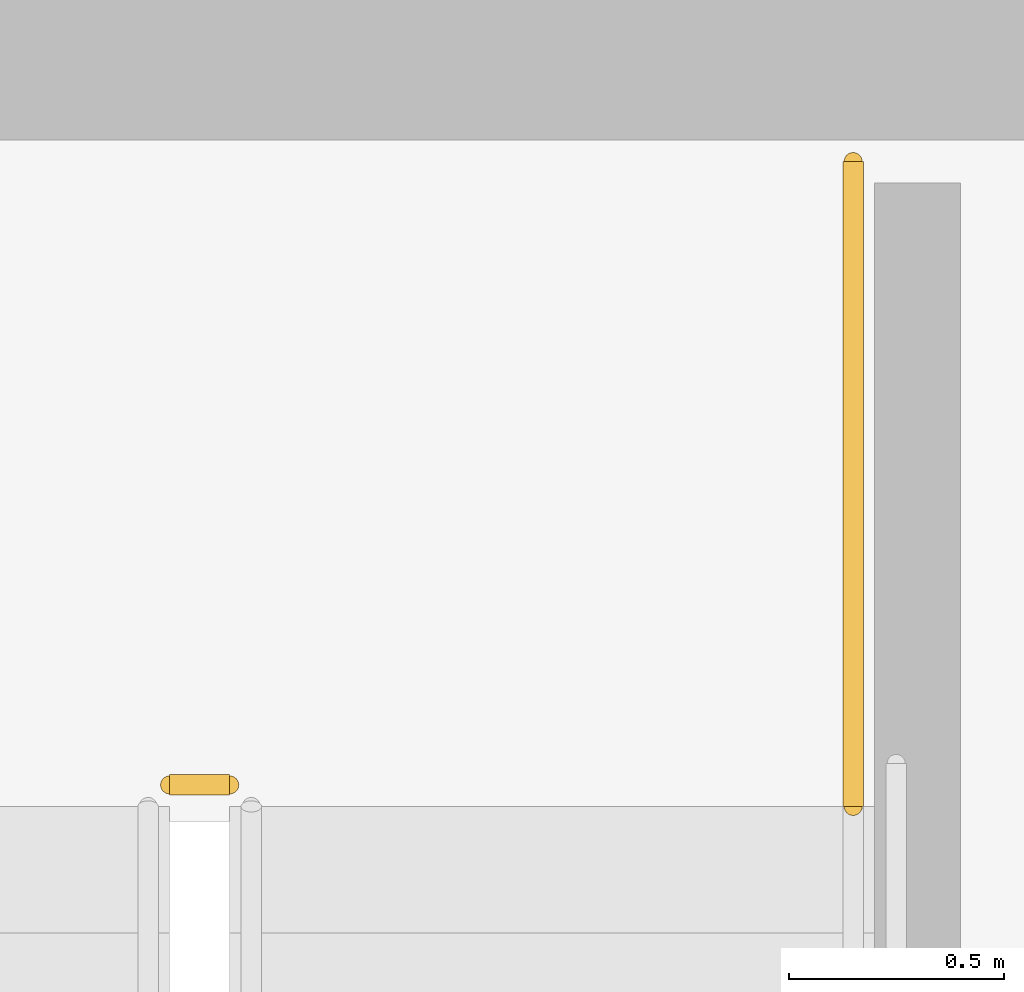
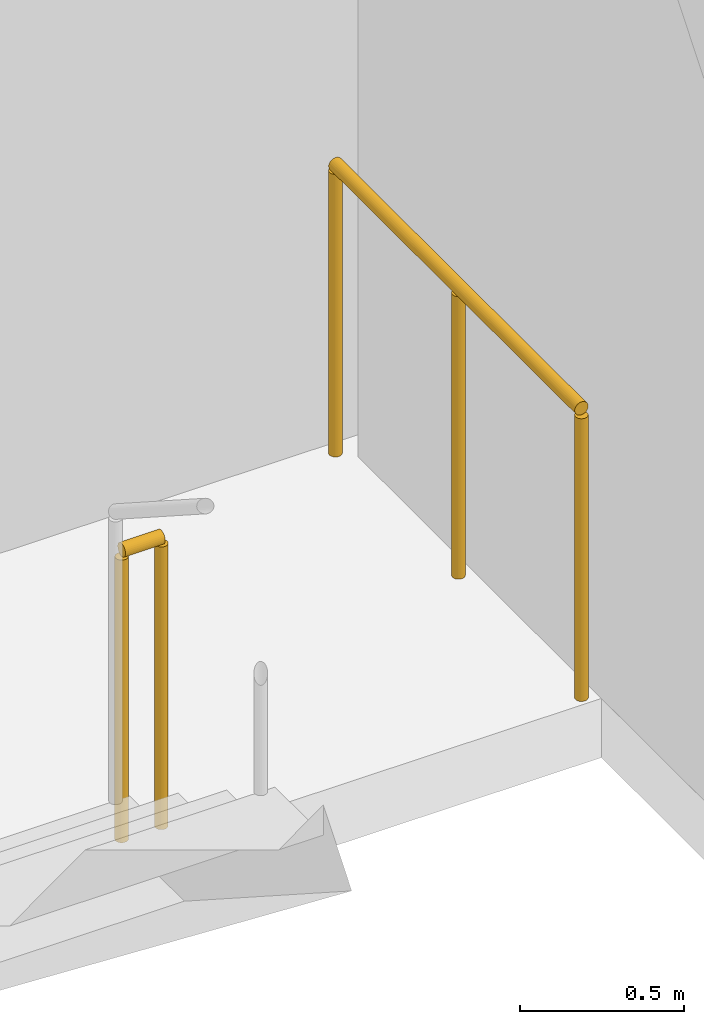
# One storey, part 32 of 32: 2 railings.
"""IFC4 building model written with IfcOpenShell, lengths in metres."""

from ifc_helpers import new_model, si_unit, direction, frame, origin, origin_2d, place, context, subcontext, project, spatial, circle, extrude, material, layer, layer_set, type_object, element, save


model = new_model("IFC4")

# Units and contexts
model_context = context("Model", 3, precision=1e-05, world=origin(), true_north=direction((0.0, 1.0)))
body_context = subcontext(model_context, "Body", "Model", "MODEL_VIEW")
ifc_project = project(units=[si_unit("LENGTHUNIT", "METRE"), si_unit("AREAUNIT", "SQUARE_METRE"), si_unit("VOLUMEUNIT", "CUBIC_METRE"), si_unit("PLANEANGLEUNIT", "RADIAN"), si_unit("MASSUNIT", "GRAM", prefix="KILO")], contexts=[model_context])

# Site, building, storey
site_placement = place(None, origin())
site = spatial("IfcSite", under=ifc_project, at=site_placement, CompositionType="ELEMENT")
building_placement = place(site_placement, origin())
building = spatial("IfcBuilding", under=site, at=building_placement, Name="Ndaravel Arena Tower", CompositionType="ELEMENT")
storey_placement = place(building_placement, frame((0.0, 0.0, 256.0)))
storey = spatial("IfcBuildingStorey", under=building, at=storey_placement, Name="L62", CompositionType="ELEMENT", Elevation=256.0)

# Railings
ifc_material = material(Name="Steel S355", Category="steel")
ifc_layer = layer(ifc_material, 0.06005859375)
ifc_layer_set = layer_set([ifc_layer], Name="Steel S355")
railing_type = type_object("IfcRailingType", Name="RAIL-STAIR-GD1100", PredefinedType="GUARDRAIL", material=ifc_layer_set)
railing_1_placement = place(storey_placement, frame((55.10009765625, 13.300048828125, 0.0)))
element("IfcRailing", 1, at=railing_1_placement, inside=storey, type_object=railing_type, Name="L62 ST-3 stair guard 4", PredefinedType="GUARDRAIL", context=body_context, shape_type="SweptSolid", body=[
    extrude(circle(Radius=0.02392578125, at=origin_2d()), frame((0.0, 0.0, 1.076171875), z_axis=(1.0, 0.0, 0.0), x_axis=(0.0, 1.0, 0.0)), (0.0, 0.0, 1.0), 0.139892578125),
    extrude(circle(Radius=0.02099609375, at=origin_2d()), origin(), (0.0, 0.0, 1.0), 1.052001953125),
    extrude(circle(Radius=0.02099609375, at=origin_2d()), frame((0.139892578125, 0.0, 0.0)), (0.0, 0.0, 1.0), 1.052001953125),
])
railing_2_placement = place(storey_placement, frame((56.68994140625, 14.75, 0.0)))
element("IfcRailing", 2, at=railing_2_placement, inside=storey, type_object=railing_type, Name="L62 ST-3 stair guard 5", PredefinedType="GUARDRAIL", context=body_context, shape_type="SweptSolid", body=[
    extrude(circle(Radius=0.02392578125, at=origin_2d()), frame((0.0, 0.0, 1.076171875), z_axis=(0.0, -1.0, 0.0), x_axis=(1.0, 0.0, 0.0)), (0.0, 0.0, 1.0), 1.5),
    extrude(circle(Radius=0.02099609375, at=origin_2d()), origin(), (0.0, 0.0, 1.0), 1.052001953125),
    extrude(circle(Radius=0.02099609375, at=origin_2d()), frame((0.0, -0.75, 0.0)), (0.0, 0.0, 1.0), 1.052001953125),
    extrude(circle(Radius=0.02099609375, at=origin_2d()), frame((0.0, -1.5, 0.0)), (0.0, 0.0, 1.0), 1.052001953125),
])

save(model, "model.ifc")
